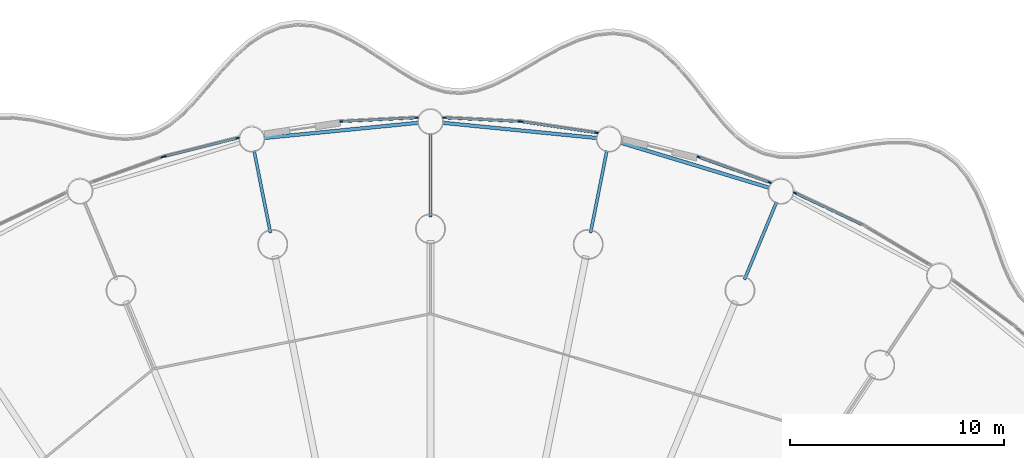
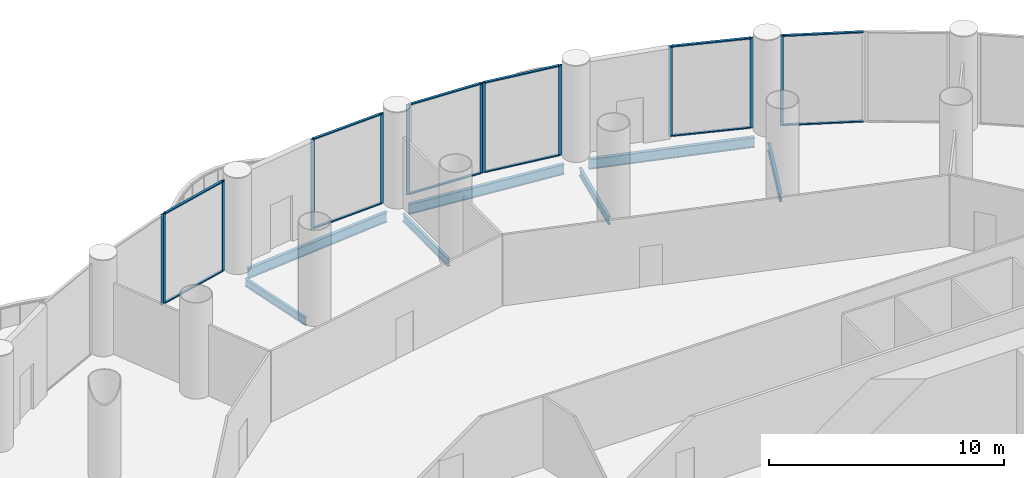
# One storey, part 17 of 38: 24 members, 7 beams, 7 elements without a shape of their own.
"""IFC4 building model written with IfcOpenShell, lengths in metres."""

from ifc_helpers import new_model, si_unit, direction, frame, origin, origin_2d, place, context, subcontext, project, spatial, rectangle, i_section, extrude, material, material_profile, profile_set, type_object, element, aggregate, save


model = new_model("IFC4")

# Units and contexts
model_context = context("Model", 3, precision=1e-05, world=origin(), true_north=direction((0.0, 1.0)))
body_context = subcontext(model_context, "Body", "Model", "MODEL_VIEW")
ifc_project = project(units=[si_unit("LENGTHUNIT", "METRE"), si_unit("AREAUNIT", "SQUARE_METRE"), si_unit("VOLUMEUNIT", "CUBIC_METRE"), si_unit("PLANEANGLEUNIT", "RADIAN"), si_unit("MASSUNIT", "GRAM", prefix="KILO")], contexts=[model_context])

# Site, building, storey
site_placement = place(None, origin())
site = spatial("IfcSite", under=ifc_project, at=site_placement, CompositionType="ELEMENT")
building_placement = place(site_placement, origin())
building = spatial("IfcBuilding", under=site, at=building_placement, Name="Corvane Civic Tower", CompositionType="ELEMENT")
storey_placement = place(building_placement, frame((0.0, 0.0, 32.0)))
storey = spatial("IfcBuildingStorey", under=building, at=storey_placement, Name="L06", CompositionType="ELEMENT", Elevation=32.0)

# Beams
ifc_material_1 = material(Name="Steel ASTM A992 Gr 50", Category="steel")
ifc_material_profile_1 = material_profile(ifc_material_1, i_section(OverallWidth=0.165771484375, OverallDepth=0.5283203125, WebThickness=0.009765625, FlangeThickness=0.013671875, at=origin_2d()), Name="W21X50")
ifc_profile_set_1 = profile_set([ifc_material_profile_1], Name="Steel ASTM A992 Gr 50")
beam_type_1 = type_object("IfcBeamType", Name="EDGE BEAM W21X50", PredefinedType="BEAM", material=ifc_profile_set_1)
for number, where, z_axis, x_axis, name in (
    (1, (0.54736328125, 42.64599609375, -0.564208984375), (0.995187967953, -0.097984225478, 0.0), (0.097984225478, 0.995187967953, 0.0), "BM-L06-E01"),
    (2, (8.856689453125, 41.719970703125, -0.564208984375), (0.956938225664, -0.290291633127, 0.0), (0.290291633127, 0.956938225664, 0.0), "BM-L06-E02"),
    (3, (-7.782958984375, 41.93359375, -0.564208984375), (0.995187967953, 0.097984225478, 0.0), (-0.097984225478, 0.995187967953, 0.0), "BM-L06-E32"),
):
    element("IfcBeam", number, at=place(storey_placement, frame(where, z_axis=z_axis, x_axis=x_axis)), inside=storey, type_object=beam_type_1, Name=name, PredefinedType="BEAM", context=body_context, shape_type="SweptSolid", body=[
        extrude(i_section(OverallWidth=0.165771484375, OverallDepth=0.5283203125, WebThickness=0.009765625, FlangeThickness=0.013671875, at=origin_2d()), origin(), (0.0, 0.0, 1.0), 7.2705078125),
    ])
ifc_material_2 = material(Name="Steel ASTM A992 Gr 50", Category="steel")
ifc_material_profile_2 = material_profile(ifc_material_2, i_section(OverallWidth=0.140380859375, OverallDepth=0.40380859375, WebThickness=0.007080078125, FlangeThickness=0.01123046875, at=origin_2d()), Name="W16X31")
ifc_profile_set_2 = profile_set([ifc_material_profile_2], Name="Steel ASTM A992 Gr 50")
beam_type_2 = type_object("IfcBeamType", Name="FLOOR GIRDER W16X31", PredefinedType="BEAM", material=ifc_profile_set_2)
for number, where, z_axis, x_axis, name in (
    (4, (0.0, 38.25, -0.501953125), (0.0, 1.0, 0.0), (-1.0, 0.0, 0.0), "BM-L06-G01b"),
    (5, (7.462158203125, 37.51513671875, -0.501953125), (0.195128858343, 0.980777614264, 0.0), (-0.980777614264, 0.195128858343, 0.0), "BM-L06-G02b"),
    (6, (14.6376953125, 35.33837890625, -0.501953125), (0.382685369162, 0.923878730261, 0.0), (-0.923878730261, 0.382685369162, 0.0), "BM-L06-G03b"),
    (7, (-7.462158203125, 37.51513671875, -0.501953125), (-0.195128858343, 0.980777614264, 0.0), (-0.980777614264, -0.195128858343, 0.0), "BM-L06-G32b"),
):
    element("IfcBeam", number, at=place(storey_placement, frame(where, z_axis=z_axis, x_axis=x_axis)), inside=storey, type_object=beam_type_2, Name=name, PredefinedType="BEAM", context=body_context, shape_type="SweptSolid", body=[
        extrude(i_section(OverallWidth=0.140380859375, OverallDepth=0.40380859375, WebThickness=0.007080078125, FlangeThickness=0.01123046875, at=origin_2d()), origin(), (0.0, 0.0, 1.0), 3.89990234375),
    ])

# Curtain wall, members
ifc_material_3 = material(Name="Aluminium and glass", Category="aluminium")
curtain_wall_type = type_object("IfcCurtainWallType", Name="PODIUM-CW-P-RUN", PredefinedType="NOTDEFINED", material=ifc_material_3)
curtain_wall_1_placement = place(storey_placement, origin())
curtain_wall_1 = element("IfcCurtainWall", 8, at=curtain_wall_1_placement, inside=storey, type_object=curtain_wall_type, Name="PODI run L06-drum-01A", PredefinedType="NOTDEFINED")
ifc_material_4 = material(Name="Anodised aluminium bronze", Category="aluminium")
ifc_material_profile_3 = material_profile(ifc_material_4, rectangle(XDim=0.06005859375, YDim=0.159912109375, at=origin_2d()), Name="AL 60x160")
ifc_profile_set_3 = profile_set([ifc_material_profile_3], Name="Anodised aluminium bronze")
member_type_1 = type_object("IfcMemberType", Name="PODIUM-CWP-MULLION-60x160", PredefinedType="MULLION", material=ifc_profile_set_3)
member_1_placement = place(storey_placement, frame((0.644775390625, 42.878173828125, 0.0), z_axis=(0.0, 0.0, 1.0), x_axis=(0.04905015332, 0.998796316803, 0.0)))
member_1 = element("IfcMember", 9, at=member_1_placement, type_object=member_type_1, Name="CW-P mullion 1", PredefinedType="MULLION", context=body_context, shape_type="SweptSolid", body=[
    extrude(rectangle(XDim=0.06005859375, YDim=0.159912109375, at=origin_2d()), origin(), (0.0, 0.0, 1.0), 4.699951171875),
])
member_2_placement = place(storey_placement, frame((4.16064453125, 42.70556640625, 0.0), z_axis=(0.0, 0.0, 1.0), x_axis=(0.04905015332, 0.998796316803, 0.0)))
member_2 = element("IfcMember", 10, at=member_2_placement, type_object=member_type_1, Name="CW-P mullion 2", PredefinedType="MULLION", context=body_context, shape_type="SweptSolid", body=[
    extrude(rectangle(XDim=0.06005859375, YDim=0.159912109375, at=origin_2d()), origin(), (0.0, 0.0, 1.0), 4.699951171875),
])

curtain_wall_2_placement = place(storey_placement, origin())
curtain_wall_2 = element("IfcCurtainWall", 11, at=curtain_wall_2_placement, inside=storey, type_object=curtain_wall_type, Name="PODI run L06-drum-01B", PredefinedType="NOTDEFINED")
member_3_placement = place(storey_placement, frame((4.2509765625, 42.696533203125, 0.0), z_axis=(0.0, 0.0, 1.0), x_axis=(0.146714694252, 0.989178850608, 0.0)))
member_3 = element("IfcMember", 12, at=member_3_placement, type_object=member_type_1, Name="CW-P mullion 1", PredefinedType="MULLION", context=body_context, shape_type="SweptSolid", body=[
    extrude(rectangle(XDim=0.06005859375, YDim=0.159912109375, at=origin_2d()), origin(), (0.0, 0.0, 1.0), 4.699951171875),
])
member_4_placement = place(storey_placement, frame((7.732666015625, 42.18017578125, 0.0), z_axis=(0.0, 0.0, 1.0), x_axis=(0.146714694252, 0.989178850608, 0.0)))
member_4 = element("IfcMember", 13, at=member_4_placement, type_object=member_type_1, Name="CW-P mullion 2", PredefinedType="MULLION", context=body_context, shape_type="SweptSolid", body=[
    extrude(rectangle(XDim=0.06005859375, YDim=0.159912109375, at=origin_2d()), origin(), (0.0, 0.0, 1.0), 4.699951171875),
])

curtain_wall_3_placement = place(storey_placement, origin())
curtain_wall_3 = element("IfcCurtainWall", 14, at=curtain_wall_3_placement, inside=storey, type_object=curtain_wall_type, Name="PODI run L06-drum-02B", PredefinedType="NOTDEFINED")
member_5_placement = place(storey_placement, frame((12.4990234375, 41.046875, 0.0), z_axis=(0.0, 0.0, 1.0), x_axis=(0.336918534123, 0.941533802561, 0.0)))
member_5 = element("IfcMember", 15, at=member_5_placement, type_object=member_type_1, Name="CW-P mullion 1", PredefinedType="MULLION", context=body_context, shape_type="SweptSolid", body=[
    extrude(rectangle(XDim=0.06005859375, YDim=0.159912109375, at=origin_2d()), origin(), (0.0, 0.0, 1.0), 4.699951171875),
])
member_6_placement = place(storey_placement, frame((15.81298828125, 39.861083984375, 0.0), z_axis=(0.0, 0.0, 1.0), x_axis=(0.336918534123, 0.941533802561, 0.0)))
member_6 = element("IfcMember", 16, at=member_6_placement, type_object=member_type_1, Name="CW-P mullion 2", PredefinedType="MULLION", context=body_context, shape_type="SweptSolid", body=[
    extrude(rectangle(XDim=0.06005859375, YDim=0.159912109375, at=origin_2d()), origin(), (0.0, 0.0, 1.0), 4.699951171875),
])

# Curtain wall, member
curtain_wall_4_placement = place(storey_placement, origin())
curtain_wall_4 = element("IfcCurtainWall", 17, at=curtain_wall_4_placement, inside=storey, type_object=curtain_wall_type, Name="PODI run L06-drum-03A", PredefinedType="NOTDEFINED")
member_7_placement = place(storey_placement, frame((17.00439453125, 39.36767578125, 0.0), z_axis=(0.0, 0.0, 1.0), x_axis=(0.42755312852, 0.903990222454, 0.0)))
member_7 = element("IfcMember", 18, at=member_7_placement, type_object=member_type_1, Name="CW-P mullion 1", PredefinedType="MULLION", context=body_context, shape_type="SweptSolid", body=[
    extrude(rectangle(XDim=0.06005859375, YDim=0.159912109375, at=origin_2d()), origin(), (0.0, 0.0, 1.0), 4.699951171875),
])

curtain_wall_5_placement = place(storey_placement, origin())
curtain_wall_5 = element("IfcCurtainWall", 19, at=curtain_wall_5_placement, inside=storey, type_object=curtain_wall_type, Name="PODI run L06-drum-31A", PredefinedType="NOTDEFINED")
member_8_placement = place(storey_placement, frame((-12.4990234375, 41.046875, 0.0), z_axis=(0.0, 0.0, 1.0), x_axis=(-0.336918534123, 0.941533802561, 0.0)))
member_8 = element("IfcMember", 20, at=member_8_placement, type_object=member_type_1, Name="CW-P mullion 2", PredefinedType="MULLION", context=body_context, shape_type="SweptSolid", body=[
    extrude(rectangle(XDim=0.06005859375, YDim=0.159912109375, at=origin_2d()), origin(), (0.0, 0.0, 1.0), 4.699951171875),
])
aggregate(curtain_wall_5, [member_8])

# Curtain wall, members
curtain_wall_6_placement = place(storey_placement, origin())
curtain_wall_6 = element("IfcCurtainWall", 21, at=curtain_wall_6_placement, inside=storey, type_object=curtain_wall_type, Name="PODI run L06-drum-31B", PredefinedType="NOTDEFINED")
member_9_placement = place(storey_placement, frame((-12.411865234375, 41.0732421875, 0.0), z_axis=(0.0, 0.0, 1.0), x_axis=(-0.243008852393, 0.970024070659, 0.0)))
member_9 = element("IfcMember", 22, at=member_9_placement, type_object=member_type_1, Name="CW-P mullion 1", PredefinedType="MULLION", context=body_context, shape_type="SweptSolid", body=[
    extrude(rectangle(XDim=0.06005859375, YDim=0.159912109375, at=origin_2d()), origin(), (0.0, 0.0, 1.0), 4.699951171875),
])
member_10_placement = place(storey_placement, frame((-8.99755859375, 41.9287109375, 0.0), z_axis=(0.0, 0.0, 1.0), x_axis=(-0.243008852393, 0.970024070659, 0.0)))
member_10 = element("IfcMember", 23, at=member_10_placement, type_object=member_type_1, Name="CW-P mullion 2", PredefinedType="MULLION", context=body_context, shape_type="SweptSolid", body=[
    extrude(rectangle(XDim=0.06005859375, YDim=0.159912109375, at=origin_2d()), origin(), (0.0, 0.0, 1.0), 4.699951171875),
])

curtain_wall_7_placement = place(storey_placement, origin())
curtain_wall_7 = element("IfcCurtainWall", 24, at=curtain_wall_7_placement, inside=storey, type_object=curtain_wall_type, Name="PODI run L06-drum-32B", PredefinedType="NOTDEFINED")
member_11_placement = place(storey_placement, frame((-4.16064453125, 42.70556640625, 0.0), z_axis=(0.0, 0.0, 1.0), x_axis=(-0.04905015332, 0.998796316803, 0.0)))
member_11 = element("IfcMember", 25, at=member_11_placement, type_object=member_type_1, Name="CW-P mullion 1", PredefinedType="MULLION", context=body_context, shape_type="SweptSolid", body=[
    extrude(rectangle(XDim=0.06005859375, YDim=0.159912109375, at=origin_2d()), origin(), (0.0, 0.0, 1.0), 4.699951171875),
])
member_12_placement = place(storey_placement, frame((-0.644775390625, 42.878173828125, 0.0), z_axis=(0.0, 0.0, 1.0), x_axis=(-0.04905015332, 0.998796316803, 0.0)))
member_12 = element("IfcMember", 26, at=member_12_placement, type_object=member_type_1, Name="CW-P mullion 2", PredefinedType="MULLION", context=body_context, shape_type="SweptSolid", body=[
    extrude(rectangle(XDim=0.06005859375, YDim=0.159912109375, at=origin_2d()), origin(), (0.0, 0.0, 1.0), 4.699951171875),
])

# Member
ifc_material_5 = material(Name="Anodised aluminium bronze", Category="aluminium")
ifc_material_profile_4 = material_profile(ifc_material_5, rectangle(XDim=0.1201171875, YDim=0.06005859375, at=origin_2d()), Name="AL 120x60")
ifc_profile_set_4 = profile_set([ifc_material_profile_4], Name="Anodised aluminium bronze")
member_type_2 = type_object("IfcMemberType", Name="PODIUM-CWP-TRANSOM-60x120", PredefinedType="USERDEFINED", material=ifc_profile_set_4)
member_13_placement = place(storey_placement, frame((0.6748046875, 42.876708984375, 0.030029296875), z_axis=(0.998796806423, -0.049040182301, 0.0), x_axis=(0.049040182301, 0.998796806423, 0.0)))
member_13 = element("IfcMember", 27, at=member_13_placement, type_object=member_type_2, Name="CW-P transom 1.1", ObjectType="TRANSOM", PredefinedType="USERDEFINED", context=body_context, shape_type="SweptSolid", body=[
    extrude(rectangle(XDim=0.1201171875, YDim=0.06005859375, at=origin_2d()), origin(), (0.0, 0.0, 1.0), 3.4599609375),
])

member_14_placement = place(storey_placement, frame((0.6748046875, 42.876708984375, 4.669921875), z_axis=(0.998796806423, -0.049040182301, 0.0), x_axis=(0.049040182301, 0.998796806423, 0.0)))
member_14 = element("IfcMember", 28, at=member_14_placement, type_object=member_type_2, Name="CW-P transom 1.2", ObjectType="TRANSOM", PredefinedType="USERDEFINED", context=body_context, shape_type="SweptSolid", body=[
    extrude(rectangle(XDim=0.1201171875, YDim=0.06005859375, at=origin_2d()), origin(), (0.0, 0.0, 1.0), 3.4599609375),
])

aggregate(curtain_wall_1, [member_1, member_2, member_13, member_14])

member_15_placement = place(storey_placement, frame((4.28076171875, 42.692138671875, 0.030029296875), z_axis=(0.989180338828, -0.146704660039, 0.0), x_axis=(0.146704660039, 0.989180338828, 0.0)))
member_15 = element("IfcMember", 29, at=member_15_placement, type_object=member_type_2, Name="CW-P transom 1.1", ObjectType="TRANSOM", PredefinedType="USERDEFINED", context=body_context, shape_type="SweptSolid", body=[
    extrude(rectangle(XDim=0.1201171875, YDim=0.06005859375, at=origin_2d()), origin(), (0.0, 0.0, 1.0), 3.459716796875),
])

member_16_placement = place(storey_placement, frame((4.28076171875, 42.692138671875, 4.669921875), z_axis=(0.989180338828, -0.146704660039, 0.0), x_axis=(0.146704660039, 0.989180338828, 0.0)))
member_16 = element("IfcMember", 30, at=member_16_placement, type_object=member_type_2, Name="CW-P transom 1.2", ObjectType="TRANSOM", PredefinedType="USERDEFINED", context=body_context, shape_type="SweptSolid", body=[
    extrude(rectangle(XDim=0.1201171875, YDim=0.06005859375, at=origin_2d()), origin(), (0.0, 0.0, 1.0), 3.459716796875),
])

aggregate(curtain_wall_2, [member_3, member_4, member_15, member_16])

member_17_placement = place(storey_placement, frame((12.527099609375, 41.036865234375, 0.030029296875), z_axis=(0.941526196838, -0.336939787896, 0.0), x_axis=(0.336939787896, 0.941526196838, 0.0)))
member_17 = element("IfcMember", 31, at=member_17_placement, type_object=member_type_2, Name="CW-P transom 1.1", ObjectType="TRANSOM", PredefinedType="USERDEFINED", context=body_context, shape_type="SweptSolid", body=[
    extrude(rectangle(XDim=0.1201171875, YDim=0.06005859375, at=origin_2d()), origin(), (0.0, 0.0, 1.0), 3.4599609375),
])

member_18_placement = place(storey_placement, frame((12.527099609375, 41.036865234375, 4.669921875), z_axis=(0.941526196838, -0.336939787896, 0.0), x_axis=(0.336939787896, 0.941526196838, 0.0)))
member_18 = element("IfcMember", 32, at=member_18_placement, type_object=member_type_2, Name="CW-P transom 1.2", ObjectType="TRANSOM", PredefinedType="USERDEFINED", context=body_context, shape_type="SweptSolid", body=[
    extrude(rectangle(XDim=0.1201171875, YDim=0.06005859375, at=origin_2d()), origin(), (0.0, 0.0, 1.0), 3.4599609375),
])

aggregate(curtain_wall_3, [member_5, member_6, member_17, member_18])

member_19_placement = place(storey_placement, frame((17.031494140625, 39.354736328125, 0.030029296875), z_axis=(0.903993431638, -0.427546343166, 0.0), x_axis=(0.427546343166, 0.903993431638, 0.0)))
member_19 = element("IfcMember", 33, at=member_19_placement, type_object=member_type_2, Name="CW-P transom 1.1", ObjectType="TRANSOM", PredefinedType="USERDEFINED", context=body_context, shape_type="SweptSolid", body=[
    extrude(rectangle(XDim=0.1201171875, YDim=0.06005859375, at=origin_2d()), origin(), (0.0, 0.0, 1.0), 3.4599609375),
])

member_20_placement = place(storey_placement, frame((17.031494140625, 39.354736328125, 4.669921875), z_axis=(0.903993431638, -0.427546343166, 0.0), x_axis=(0.427546343166, 0.903993431638, 0.0)))
member_20 = element("IfcMember", 34, at=member_20_placement, type_object=member_type_2, Name="CW-P transom 1.2", ObjectType="TRANSOM", PredefinedType="USERDEFINED", context=body_context, shape_type="SweptSolid", body=[
    extrude(rectangle(XDim=0.1201171875, YDim=0.06005859375, at=origin_2d()), origin(), (0.0, 0.0, 1.0), 3.4599609375),
])

aggregate(curtain_wall_4, [member_7, member_19, member_20])

member_21_placement = place(storey_placement, frame((-12.3828125, 41.08056640625, 0.030029296875), z_axis=(0.970022009425, 0.243017080124, 0.0), x_axis=(-0.243017080124, 0.970022009425, 0.0)))
member_21 = element("IfcMember", 35, at=member_21_placement, type_object=member_type_2, Name="CW-P transom 1.1", ObjectType="TRANSOM", PredefinedType="USERDEFINED", context=body_context, shape_type="SweptSolid", body=[
    extrude(rectangle(XDim=0.1201171875, YDim=0.06005859375, at=origin_2d()), origin(), (0.0, 0.0, 1.0), 3.4599609375),
])

member_22_placement = place(storey_placement, frame((-12.3828125, 41.08056640625, 4.669921875), z_axis=(0.970022009425, 0.243017080124, 0.0), x_axis=(-0.243017080124, 0.970022009425, 0.0)))
member_22 = element("IfcMember", 36, at=member_22_placement, type_object=member_type_2, Name="CW-P transom 1.2", ObjectType="TRANSOM", PredefinedType="USERDEFINED", context=body_context, shape_type="SweptSolid", body=[
    extrude(rectangle(XDim=0.1201171875, YDim=0.06005859375, at=origin_2d()), origin(), (0.0, 0.0, 1.0), 3.4599609375),
])

aggregate(curtain_wall_6, [member_9, member_10, member_21, member_22])

member_23_placement = place(storey_placement, frame((-4.130615234375, 42.70703125, 0.030029296875), z_axis=(0.998796806423, 0.049040182301, 0.0), x_axis=(-0.049040182301, 0.998796806423, 0.0)))
member_23 = element("IfcMember", 37, at=member_23_placement, type_object=member_type_2, Name="CW-P transom 1.1", ObjectType="TRANSOM", PredefinedType="USERDEFINED", context=body_context, shape_type="SweptSolid", body=[
    extrude(rectangle(XDim=0.1201171875, YDim=0.06005859375, at=origin_2d()), origin(), (0.0, 0.0, 1.0), 3.4599609375),
])

member_24_placement = place(storey_placement, frame((-4.130615234375, 42.70703125, 4.669921875), z_axis=(0.998796806423, 0.049040182301, 0.0), x_axis=(-0.049040182301, 0.998796806423, 0.0)))
member_24 = element("IfcMember", 38, at=member_24_placement, type_object=member_type_2, Name="CW-P transom 1.2", ObjectType="TRANSOM", PredefinedType="USERDEFINED", context=body_context, shape_type="SweptSolid", body=[
    extrude(rectangle(XDim=0.1201171875, YDim=0.06005859375, at=origin_2d()), origin(), (0.0, 0.0, 1.0), 3.4599609375),
])

aggregate(curtain_wall_7, [member_11, member_12, member_23, member_24])

save(model, "model.ifc")
